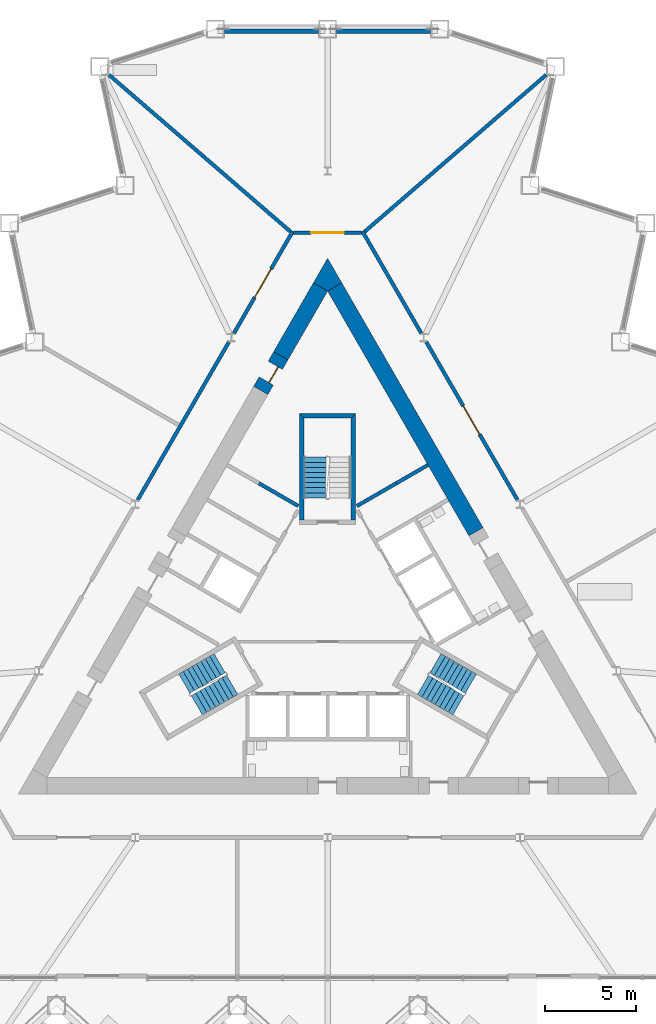
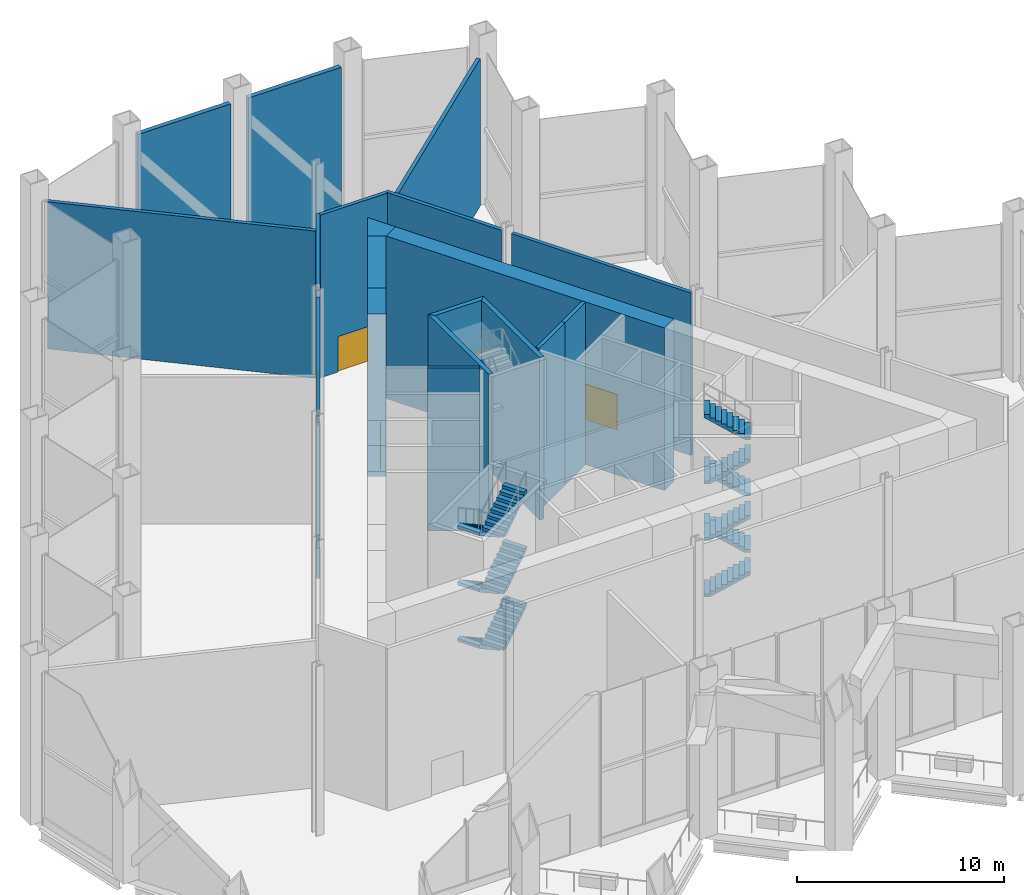
# One storey, part 10 of 17: 19 walls, 14 stair flights, 4 doors, 4 openings, 3 elements without a shape of their own.
"""IFC4 building model written with IfcOpenShell, lengths in metres."""

from ifc_helpers import new_model, si_unit, direction, frame, frame_2d, origin, place, context, subcontext, project, spatial, polyline, rectangle, outline, extrude, material, layer, layer_set, type_object, element, fill, aggregate, save


model = new_model("IFC4")

# Units and contexts
model_context = context("Model", 3, precision=1e-05, world=origin(), true_north=direction((0.0, 1.0)))
body_context = subcontext(model_context, "Body", "Model", "MODEL_VIEW")
ifc_project = project(units=[si_unit("LENGTHUNIT", "METRE"), si_unit("AREAUNIT", "SQUARE_METRE"), si_unit("VOLUMEUNIT", "CUBIC_METRE"), si_unit("PLANEANGLEUNIT", "RADIAN"), si_unit("MASSUNIT", "GRAM", prefix="KILO")], contexts=[model_context])

# Site, building, storey
site_placement = place(None, origin())
site = spatial("IfcSite", under=ifc_project, at=site_placement, CompositionType="ELEMENT")
building_placement = place(site_placement, origin())
building = spatial("IfcBuilding", under=site, at=building_placement, Name="Cormorant Prow Tower", CompositionType="ELEMENT")
storey_placement = place(building_placement, frame((0.0, 0.0, 84.60009765625)))
storey = spatial("IfcBuildingStorey", under=building, at=storey_placement, Name="L18", CompositionType="ELEMENT", Elevation=84.60009765625)

# Walls
ifc_material_1 = material(Name="Concrete 8000 psi", Category="concrete")
ifc_layer_1 = layer(ifc_material_1, 0.89990234375)
ifc_layer_set_1 = layer_set([ifc_layer_1], Name="Concrete 8000 psi")
wall_type_1 = type_object("IfcWallType", Name="Core shear wall 900", PredefinedType="SHEAR", material=ifc_layer_set_1)
wall_1_placement = place(storey_placement, frame((8.160400390625, 4.595947265625, 0.0), z_axis=(0.0, 0.0, 1.0), x_axis=(-0.500009830349, 0.866019728156, 0.0)))
element("IfcWall", 1, at=wall_1_placement, inside=storey, type_object=wall_type_1, Name="Core wall", PredefinedType="SHEAR", context=body_context, shape_type="SweptSolid", body=[
    extrude(rectangle(XDim=15.541259765625, YDim=0.89990234375, at=frame_2d((7.7705078125, 0.0))), origin(), (0.0, 0.0, 1.0), 9.599853515625),
])
wall_2_placement = place(storey_placement, frame((-0.3896484375, 18.054931640625, 0.0), z_axis=(0.0, 0.0, 1.0), x_axis=(-0.500014193307, -0.86601720912, 0.0)))
element("IfcWall", 2, at=wall_2_placement, inside=storey, type_object=wall_type_1, Name="Core wall", PredefinedType="SHEAR", context=body_context, shape_type="SweptSolid", body=[
    extrude(rectangle(XDim=4.370361328125, YDim=0.89990234375, at=frame_2d((2.18505859375, 0.0))), origin(), (0.0, 0.0, 1.0), 9.599853515625),
])
wall_3_placement = place(storey_placement, origin())
element("IfcWall", 3, at=wall_3_placement, inside=storey, type_object=wall_type_1, Name="Core wall corner", PredefinedType="SHEAR", context=body_context, shape_type="SweptSolid", body=[
    extrude(outline(polyline([(-0.779296875, 18.27978515625), (0.0, 19.6298828125), (0.779296875, 18.27978515625), (0.0, 17.829833984375), (-0.779296875, 18.27978515625)])), origin(), (0.0, 0.0, 1.0), 9.599853515625),
])

# Wall, opening, door
wall_4_placement = place(storey_placement, frame((-2.574951171875, 14.27001953125, 0.0), z_axis=(0.0, 0.0, 1.0), x_axis=(-0.499981787252, -0.866035918664, 0.0)))
wall_4 = element("IfcWall", 4, at=wall_4_placement, inside=storey, type_object=wall_type_1, Name="Core wall door panel", PredefinedType="SHEAR", context=body_context, shape_type="SweptSolid", body=[
    extrude(rectangle(XDim=2.2001953125, YDim=0.89990234375, at=frame_2d((1.10009765625, 0.0))), origin(), (0.0, 0.0, 1.0), 9.599853515625),
])
opening_1_placement = place(wall_4_placement, frame((0.60009765625, 0.0, 0.0)))
opening_1 = element("IfcOpeningElement", 5, at=opening_1_placement, cuts=wall_4, Name="Opening L18-C20", PredefinedType="OPENING", context=body_context, shape_type="SweptSolid", body=[
    extrude(rectangle(XDim=1.0, YDim=2.10009765625, at=frame_2d((0.5, 1.050048828125))), frame((0.0, 0.4599609375, 0.0), z_axis=(0.0, -1.0, 0.0), x_axis=(1.0, 0.0, 0.0)), (0.0, 0.0, 1.0), 0.919921875),
])
ifc_material_2 = material(Name="Painted steel", Category="steel")
door_type_1 = type_object("IfcDoorType", Name="Service door 1000x2100", OperationType="NOTDEFINED", PredefinedType="DOOR", material=ifc_material_2)
door_1_placement = place(opening_1_placement, origin())
door_1 = element("IfcDoor", 6, at=door_1_placement, inside=storey, type_object=door_type_1, Name="Core door, Telecom room", OperationType="SINGLE_SWING_LEFT", OverallHeight=2.10009765625, OverallWidth=1.0, PredefinedType="DOOR", context=body_context, shape_type="SweptSolid", body=[
    extrude(rectangle(XDim=1.0, YDim=2.10009765625, at=frame_2d((0.5, 1.050048828125))), frame((0.0, 0.205078125, 0.0), z_axis=(0.0, -1.0, 0.0), x_axis=(1.0, 0.0, 0.0)), (0.0, 0.0, 1.0), 0.050048828125),
])
fill(opening_1, door_1)

ifc_material_3 = material(Name="Gypsum board corridor wall")
ifc_layer_2 = layer(ifc_material_3, 0.199951171875)
ifc_layer_set_2 = layer_set([ifc_layer_2], Name="Gypsum board corridor wall")
wall_type_2 = type_object("IfcWallType", Name="Corridor wall 200", PredefinedType="PARTITIONING", material=ifc_layer_set_2)
wall_5_placement = place(storey_placement, frame((5.42919921875, 15.0263671875, 0.0), z_axis=(0.0, 0.0, 1.0), x_axis=(0.50001002959, -0.86601961312, 0.0)))
wall_5 = element("IfcWall", 7, at=wall_5_placement, inside=storey, type_object=wall_type_2, Name="Corridor wall", PredefinedType="PARTITIONING", context=body_context, shape_type="SweptSolid", body=[
    extrude(rectangle(XDim=10.018798828125, YDim=0.199951171875, at=frame_2d((5.00927734375, 0.0))), origin(), (0.0, 0.0, 1.0), 9.599853515625),
])
opening_2_placement = place(wall_5_placement, frame((4.059326171875, 0.0, 0.0)))
opening_2 = element("IfcOpeningElement", 8, at=opening_2_placement, cuts=wall_5, Name="Opening L18-F03", PredefinedType="OPENING", context=body_context, shape_type="SweptSolid", body=[
    extrude(rectangle(XDim=1.800048828125, YDim=2.10009765625, at=frame_2d((0.89990234375, 1.050048828125))), frame((0.0, 0.10986328125, 0.0), z_axis=(0.0, -1.0, 0.0), x_axis=(1.0, 0.0, 0.0)), (0.0, 0.0, 1.0), 0.219970703125),
])
ifc_material_4 = material(Name="Timber door leaf", Category="wood")
door_type_2 = type_object("IfcDoorType", Name="Double door 1800x2100", OperationType="DOUBLE_DOOR_SINGLE_SWING", PredefinedType="DOOR", material=ifc_material_4)
door_2_placement = place(opening_2_placement, origin())
door_2 = element("IfcDoor", 9, at=door_2_placement, inside=storey, type_object=door_type_2, Name="Executive suites door", OperationType="DOUBLE_DOOR_SINGLE_SWING", OverallHeight=2.10009765625, OverallWidth=1.800048828125, PredefinedType="DOOR", context=body_context, shape_type="SweptSolid", body=[
    extrude(rectangle(XDim=1.800048828125, YDim=2.10009765625, at=frame_2d((0.89990234375, 1.050048828125))), frame((0.0, 0.02490234375, 0.0), z_axis=(0.0, -1.0, 0.0), x_axis=(1.0, 0.0, 0.0)), (0.0, 0.0, 1.0), 0.050048828125),
])
fill(opening_2, door_2)

# Walls
wall_6_placement = place(storey_placement, frame((-10.438720703125, 6.349853515625, 0.0), z_axis=(0.0, 0.0, 1.0), x_axis=(0.50001002959, 0.86601961312, 0.0)))
element("IfcWall", 10, at=wall_6_placement, inside=storey, type_object=wall_type_2, Name="Corridor wall", PredefinedType="PARTITIONING", context=body_context, shape_type="SweptSolid", body=[
    extrude(rectangle(XDim=10.018798828125, YDim=0.199951171875, at=frame_2d((5.00927734375, 0.0))), origin(), (0.0, 0.0, 1.0), 9.599853515625),
])
wall_7_placement = place(storey_placement, frame((1.9130859375, 21.116455078125, 0.0), z_axis=(0.0, 0.0, 1.0), x_axis=(0.500001069878, -0.866024786089, 0.0)))
element("IfcWall", 11, at=wall_7_placement, inside=storey, type_object=wall_type_2, Name="Corridor wall", PredefinedType="PARTITIONING", context=body_context, shape_type="SweptSolid", body=[
    extrude(rectangle(XDim=6.47265625, YDim=0.199951171875, at=frame_2d((3.236328125, 0.0))), origin(), (0.0, 0.0, 1.0), 9.599853515625),
])

# Wall, opening, door
wall_8_placement = place(storey_placement, frame((-5.1494140625, 15.510986328125, 0.0), z_axis=(0.0, 0.0, 1.0), x_axis=(0.500001069878, 0.866024786089, 0.0)))
wall_8 = element("IfcWall", 12, at=wall_8_placement, inside=storey, type_object=wall_type_2, Name="Corridor wall", PredefinedType="PARTITIONING", context=body_context, shape_type="SweptSolid", body=[
    extrude(rectangle(XDim=6.47265625, YDim=0.199951171875, at=frame_2d((3.236328125, 0.0))), origin(), (0.0, 0.0, 1.0), 9.599853515625),
])
opening_3_placement = place(wall_8_placement, frame((2.285400390625, 0.0, 0.0)))
opening_3 = element("IfcOpeningElement", 13, at=opening_3_placement, cuts=wall_8, Name="Opening L18-F05", PredefinedType="OPENING", context=body_context, shape_type="SweptSolid", body=[
    extrude(rectangle(XDim=1.800048828125, YDim=2.10009765625, at=frame_2d((0.89990234375, 1.050048828125))), frame((0.0, 0.10986328125, 0.0), z_axis=(0.0, -1.0, 0.0), x_axis=(1.0, 0.0, 0.0)), (0.0, 0.0, 1.0), 0.219970703125),
])
door_3_placement = place(opening_3_placement, origin())
door_3 = element("IfcDoor", 14, at=door_3_placement, inside=storey, type_object=door_type_2, Name="Restaurant door", OperationType="DOUBLE_DOOR_SINGLE_SWING", OverallHeight=2.10009765625, OverallWidth=1.800048828125, PredefinedType="DOOR", context=body_context, shape_type="SweptSolid", body=[
    extrude(rectangle(XDim=1.800048828125, YDim=2.10009765625, at=frame_2d((0.89990234375, 1.050048828125))), frame((0.0, 0.02490234375, 0.0), z_axis=(0.0, -1.0, 0.0), x_axis=(1.0, 0.0, 0.0)), (0.0, 0.0, 1.0), 0.050048828125),
])
fill(opening_3, door_3)

wall_9_placement = place(storey_placement, frame((-1.863037109375, 21.02978515625, 0.0), z_axis=(0.0, 0.0, 1.0), x_axis=(1.0, 0.0, 0.0)))
wall_9 = element("IfcWall", 15, at=wall_9_placement, inside=storey, type_object=wall_type_2, Name="Corridor wall", PredefinedType="PARTITIONING", context=body_context, shape_type="SweptSolid", body=[
    extrude(rectangle(XDim=3.72607421875, YDim=0.199951171875, at=frame_2d((1.863037109375, 0.0))), origin(), (0.0, 0.0, 1.0), 9.599853515625),
])
opening_4_placement = place(wall_9_placement, frame((0.962890625, 0.0, 0.0)))
opening_4 = element("IfcOpeningElement", 16, at=opening_4_placement, cuts=wall_9, Name="Opening L18-F04", PredefinedType="OPENING", context=body_context, shape_type="SweptSolid", body=[
    extrude(rectangle(XDim=1.800048828125, YDim=2.10009765625, at=frame_2d((0.89990234375, 1.050048828125))), frame((0.0, 0.10986328125, 0.0), z_axis=(0.0, -1.0, 0.0), x_axis=(1.0, 0.0, 0.0)), (0.0, 0.0, 1.0), 0.219970703125),
])
door_4_placement = place(opening_4_placement, origin())
door_4 = element("IfcDoor", 17, at=door_4_placement, inside=storey, type_object=door_type_2, Name="Kitchen door", OperationType="DOUBLE_DOOR_SINGLE_SWING", OverallHeight=2.10009765625, OverallWidth=1.800048828125, PredefinedType="DOOR", context=body_context, shape_type="SweptSolid", body=[
    extrude(rectangle(XDim=1.800048828125, YDim=2.10009765625, at=frame_2d((0.89990234375, 1.050048828125))), frame((0.0, 0.02490234375, 0.0), z_axis=(0.0, -1.0, 0.0), x_axis=(1.0, 0.0, 0.0)), (0.0, 0.0, 1.0), 0.050048828125),
])
fill(opening_4, door_4)

# Walls
ifc_material_5 = material(Name="Gypsum board demising wall")
ifc_layer_3 = layer(ifc_material_5, 0.199951171875)
ifc_layer_set_3 = layer_set([ifc_layer_3], Name="Gypsum board demising wall")
wall_type_3 = type_object("IfcWallType", Name="Demising wall 200", PredefinedType="PARTITIONING", material=ifc_layer_set_3)
for number, where, z_axis, x_axis, name in (
    (18, (2.038818359375, 21.09521484375, 0.0), (0.0, 0.0, 1.0), (0.756656024203, 0.653813169826, 0.0), "Demising wall"),
    (19, (-12.01513671875, 29.715576171875, 0.0), (0.0, 0.0, 1.0), (0.756656024203, -0.653813169826, 0.0), "Demising wall"),
):
    element("IfcWall", number, at=place(storey_placement, frame(where, z_axis=z_axis, x_axis=x_axis)), inside=storey, type_object=wall_type_3, Name=name, PredefinedType="PARTITIONING", context=body_context, shape_type="SweptSolid", body=[
        extrude(rectangle(XDim=13.184814453125, YDim=0.199951171875, at=frame_2d((6.59228515625, 0.0))), origin(), (0.0, 0.0, 1.0), 8.685302734375),
    ])
ifc_material_6 = material(Name="Concrete 8000 psi", Category="concrete")
ifc_layer_4 = layer(ifc_material_6, 0.199951171875)
ifc_layer_set_4 = layer_set([ifc_layer_4], Name="Concrete 8000 psi")
wall_type_4 = type_object("IfcWallType", Name="Lift shaft wall 200", PredefinedType="SHEAR", material=ifc_layer_set_4)
wall_10_placement = place(storey_placement, origin())
element("IfcWall", 20, at=wall_10_placement, inside=storey, type_object=wall_type_4, Name="Lift shaft walls, ENE block", PredefinedType="SHEAR", context=body_context, shape_type="SweptSolid", body=[
    extrude(outline(polyline([(1.560546875, 6.09716796875), (3.730712890625, 7.35009765625), (3.830810546875, 7.177001953125), (1.660400390625, 5.923828125), (1.560546875, 6.09716796875)])), origin(), (0.0, 0.0, 1.0), 9.599853515625),
])
wall_11_placement = place(storey_placement, frame((3.78076171875, 7.263427734375, 0.0), z_axis=(0.0, 0.0, 1.0), x_axis=(0.865983199114, 0.50007309351, 0.0)))
element("IfcWall", 21, at=wall_11_placement, inside=storey, type_object=wall_type_4, Name="Store side wall", PredefinedType="SHEAR", context=body_context, shape_type="SweptSolid", body=[
    extrude(rectangle(XDim=2.009033203125, YDim=0.199951171875, at=frame_2d((1.00439453125, 0.0))), origin(), (0.0, 0.0, 1.0), 9.599853515625),
])
wall_12_placement = place(storey_placement, origin())
element("IfcWall", 22, at=wall_12_placement, inside=storey, type_object=wall_type_4, Name="Lift shaft walls, WNW block", PredefinedType="SHEAR", context=body_context, shape_type="SweptSolid", body=[
    extrude(outline(polyline([(-3.730712890625, 7.35009765625), (-1.560546875, 6.09716796875), (-1.660400390625, 5.923828125), (-3.830810546875, 7.177001953125), (-3.730712890625, 7.35009765625)])), origin(), (0.0, 0.0, 1.0), 9.599853515625),
])
ifc_material_7 = material(Name="Concrete 8000 psi", Category="concrete")
ifc_layer_5 = layer(ifc_material_7, 0.25)
ifc_layer_set_5 = layer_set([ifc_layer_5], Name="Concrete 8000 psi")
wall_type_5 = type_object("IfcWallType", Name="Stair wall 250", PredefinedType="SHEAR", material=ifc_layer_set_5)
wall_13_placement = place(storey_placement, origin())
element("IfcWall", 23, at=wall_13_placement, inside=storey, type_object=wall_type_5, Name="Stair ST3 enclosure wall (flank)", PredefinedType="SHEAR", context=body_context, shape_type="SweptSolid", body=[
    extrude(outline(polyline([(1.5439453125, 5.23681640625), (1.5439453125, 11.0869140625), (1.2939453125, 10.8369140625), (1.2939453125, 5.23681640625), (1.5439453125, 5.23681640625)])), origin(), (0.0, 0.0, 1.0), 9.599853515625),
])
wall_14_placement = place(storey_placement, origin())
element("IfcWall", 24, at=wall_14_placement, inside=storey, type_object=wall_type_5, Name="Stair ST3 enclosure wall (end)", PredefinedType="SHEAR", context=body_context, shape_type="SweptSolid", body=[
    extrude(outline(polyline([(1.5439453125, 11.0869140625), (-1.5439453125, 11.0869140625), (-1.2939453125, 10.8369140625), (1.2939453125, 10.8369140625), (1.5439453125, 11.0869140625)])), origin(), (0.0, 0.0, 1.0), 9.599853515625),
])
wall_15_placement = place(storey_placement, origin())
element("IfcWall", 25, at=wall_15_placement, inside=storey, type_object=wall_type_5, Name="Stair ST3 enclosure wall (flank)", PredefinedType="SHEAR", context=body_context, shape_type="SweptSolid", body=[
    extrude(outline(polyline([(-1.2939453125, 10.8369140625), (-1.5439453125, 11.0869140625), (-1.5439453125, 5.23681640625), (-1.2939453125, 5.23681640625), (-1.2939453125, 10.8369140625)])), origin(), (0.0, 0.0, 1.0), 9.599853515625),
])
ifc_material_8 = material(Name="Terracotta", Category="masonry")
ifc_layer_6 = layer(ifc_material_8, 0.25)
ifc_layer_set_6 = layer_set([ifc_layer_6], Name="Terracotta")
wall_type_6 = type_object("IfcWallType", Name="Terracotta bay wall 250", PredefinedType="SOLIDWALL", material=ifc_layer_set_6)
for number, where, z_axis, x_axis, name in (
    (26, (5.669677734375, 32.108642578125, 0.0), (0.0, 0.0, 1.0), (-1.0, 0.0, 0.0), "Terracotta bay wall N00"),
    (27, (-0.5, 32.108642578125, 0.0), (0.0, 0.0, 1.0), (-1.0, 0.0, 0.0), "Terracotta bay wall N01"),
):
    element("IfcWall", number, at=place(storey_placement, frame(where, z_axis=z_axis, x_axis=x_axis)), inside=storey, type_object=wall_type_6, Name=name, PredefinedType="SOLIDWALL", context=body_context, shape_type="SweptSolid", body=[
        extrude(rectangle(XDim=5.169677734375, YDim=0.25, at=frame_2d((2.5849609375, 0.0))), origin(), (0.0, 0.0, 1.0), 8.98876953125),
    ])

# Stair, stair flights
ifc_material_9 = material(Name="Exit stair 54 risers")
stair_type = type_object("IfcStairType", Name="Exit stair 54 risers", PredefinedType="HALF_TURN_STAIR", material=ifc_material_9)
stair_1_placement = place(storey_placement, origin())
stair_1 = element("IfcStair", 28, at=stair_1_placement, inside=storey, type_object=stair_type, Name="L18 Exit stair ST1", PredefinedType="HALF_TURN_STAIR")
ifc_material_10 = material(Name="Concrete 5000 psi", Category="concrete")
stair_flight_type = type_object("IfcStairFlightType", Name="Stair flight 1219", PredefinedType="STRAIGHT", material=ifc_material_10)
stair_flight_1_placement = place(storey_placement, frame((-5.93310546875, -2.635009765625, 0.0), z_axis=(0.0, 0.0, 1.0), x_axis=(-0.866025403784, -0.5, 0.0)))
stair_flight_1 = element("IfcStairFlight", 29, at=stair_flight_1_placement, type_object=stair_flight_type, Name="ST1 flight 1", NumberOfRisers=9, NumberOfTreads=8, PredefinedType="STRAIGHT", RiserHeight=0.185185185, TreadLength=0.28, context=body_context, shape_type="SweptSolid", body=[
    extrude(outline(polyline([(0.0, 0.0), (0.0, 0.185302734375), (0.280029296875, 0.185302734375), (0.280029296875, 0.370361328125), (0.56005859375, 0.370361328125), (0.56005859375, 0.5556640625), (0.840087890625, 0.5556640625), (0.840087890625, 0.74072265625), (1.1201171875, 0.74072265625), (1.1201171875, 0.926025390625), (1.39990234375, 0.926025390625), (1.39990234375, 1.111083984375), (1.679931640625, 1.111083984375), (1.679931640625, 1.29638671875), (1.9599609375, 1.29638671875), (1.9599609375, 1.4814453125), (2.239990234375, 1.4814453125), (2.239990234375, 1.666748046875), (2.239990234375, 1.3017578125), (0.271728515625, 0.0), (0.0, 0.0)])), frame((0.0, 0.609375, 0.0), z_axis=(0.0, -1.0, 0.0), x_axis=(1.0, 0.0, 0.0)), (0.0, 0.0, 1.0), 1.218994140625),
])
stair_flight_2_placement = place(storey_placement, frame((-7.1884765625, -4.940673828125, 1.66650390625), z_axis=(0.0, 0.0, 1.0), x_axis=(0.866025403784, 0.5, 0.0)))
stair_flight_2 = element("IfcStairFlight", 30, at=stair_flight_2_placement, type_object=stair_flight_type, Name="ST1 flight 2", NumberOfRisers=9, NumberOfTreads=8, PredefinedType="STRAIGHT", RiserHeight=0.185185185, TreadLength=0.28, context=body_context, shape_type="SweptSolid", body=[
    extrude(outline(polyline([(0.0, 0.0), (0.0, 0.185302734375), (0.280029296875, 0.185302734375), (0.280029296875, 0.370361328125), (0.56005859375, 0.370361328125), (0.56005859375, 0.5556640625), (0.840087890625, 0.5556640625), (0.840087890625, 0.74072265625), (1.1201171875, 0.74072265625), (1.1201171875, 0.926025390625), (1.39990234375, 0.926025390625), (1.39990234375, 1.111083984375), (1.679931640625, 1.111083984375), (1.679931640625, 1.29638671875), (1.9599609375, 1.29638671875), (1.9599609375, 1.4814453125), (2.239990234375, 1.4814453125), (2.239990234375, 1.666748046875), (2.239990234375, 1.3017578125), (0.271728515625, 0.0), (0.0, 0.0)])), frame((0.0, 0.609375, 0.0), z_axis=(0.0, -1.0, 0.0), x_axis=(1.0, 0.0, 0.0)), (0.0, 0.0, 1.0), 1.218994140625),
])
stair_flight_3_placement = place(storey_placement, frame((-5.93310546875, -2.635009765625, 3.333251953125), z_axis=(0.0, 0.0, 1.0), x_axis=(-0.866025403784, -0.5, 0.0)))
stair_flight_3 = element("IfcStairFlight", 31, at=stair_flight_3_placement, type_object=stair_flight_type, Name="ST1 flight 3", NumberOfRisers=9, NumberOfTreads=8, PredefinedType="STRAIGHT", RiserHeight=0.185185185, TreadLength=0.28, context=body_context, shape_type="SweptSolid", body=[
    extrude(outline(polyline([(0.0, 0.0), (0.0, 0.185302734375), (0.280029296875, 0.185302734375), (0.280029296875, 0.370361328125), (0.56005859375, 0.370361328125), (0.56005859375, 0.5556640625), (0.840087890625, 0.5556640625), (0.840087890625, 0.74072265625), (1.1201171875, 0.74072265625), (1.1201171875, 0.926025390625), (1.39990234375, 0.926025390625), (1.39990234375, 1.111083984375), (1.679931640625, 1.111083984375), (1.679931640625, 1.29638671875), (1.9599609375, 1.29638671875), (1.9599609375, 1.4814453125), (2.239990234375, 1.4814453125), (2.239990234375, 1.666748046875), (2.239990234375, 1.3017578125), (0.271728515625, 0.0), (0.0, 0.0)])), frame((0.0, 0.609375, 0.0), z_axis=(0.0, -1.0, 0.0), x_axis=(1.0, 0.0, 0.0)), (0.0, 0.0, 1.0), 1.218994140625),
])
stair_flight_4_placement = place(storey_placement, frame((-7.1884765625, -4.940673828125, 5.0), z_axis=(0.0, 0.0, 1.0), x_axis=(0.866025403784, 0.5, 0.0)))
stair_flight_4 = element("IfcStairFlight", 32, at=stair_flight_4_placement, type_object=stair_flight_type, Name="ST1 flight 4", NumberOfRisers=9, NumberOfTreads=8, PredefinedType="STRAIGHT", RiserHeight=0.185185185, TreadLength=0.28, context=body_context, shape_type="SweptSolid", body=[
    extrude(outline(polyline([(0.0, 0.0), (0.0, 0.185302734375), (0.280029296875, 0.185302734375), (0.280029296875, 0.370361328125), (0.56005859375, 0.370361328125), (0.56005859375, 0.5556640625), (0.840087890625, 0.5556640625), (0.840087890625, 0.74072265625), (1.1201171875, 0.74072265625), (1.1201171875, 0.926025390625), (1.39990234375, 0.926025390625), (1.39990234375, 1.111083984375), (1.679931640625, 1.111083984375), (1.679931640625, 1.29638671875), (1.9599609375, 1.29638671875), (1.9599609375, 1.4814453125), (2.239990234375, 1.4814453125), (2.239990234375, 1.666748046875), (2.239990234375, 1.3017578125), (0.271728515625, 0.0), (0.0, 0.0)])), frame((0.0, 0.609375, 0.0), z_axis=(0.0, -1.0, 0.0), x_axis=(1.0, 0.0, 0.0)), (0.0, 0.0, 1.0), 1.218994140625),
])
stair_flight_5_placement = place(storey_placement, frame((-5.93310546875, -2.635009765625, 6.66650390625), z_axis=(0.0, 0.0, 1.0), x_axis=(-0.866025403784, -0.5, 0.0)))
stair_flight_5 = element("IfcStairFlight", 33, at=stair_flight_5_placement, type_object=stair_flight_type, Name="ST1 flight 5", NumberOfRisers=9, NumberOfTreads=8, PredefinedType="STRAIGHT", RiserHeight=0.185185185, TreadLength=0.28, context=body_context, shape_type="SweptSolid", body=[
    extrude(outline(polyline([(0.0, 0.0), (0.0, 0.185302734375), (0.280029296875, 0.185302734375), (0.280029296875, 0.370361328125), (0.56005859375, 0.370361328125), (0.56005859375, 0.5556640625), (0.840087890625, 0.5556640625), (0.840087890625, 0.74072265625), (1.1201171875, 0.74072265625), (1.1201171875, 0.926025390625), (1.39990234375, 0.926025390625), (1.39990234375, 1.111083984375), (1.679931640625, 1.111083984375), (1.679931640625, 1.29638671875), (1.9599609375, 1.29638671875), (1.9599609375, 1.4814453125), (2.239990234375, 1.4814453125), (2.239990234375, 1.666748046875), (2.239990234375, 1.3017578125), (0.271728515625, 0.0), (0.0, 0.0)])), frame((0.0, 0.609375, 0.0), z_axis=(0.0, -1.0, 0.0), x_axis=(1.0, 0.0, 0.0)), (0.0, 0.0, 1.0), 1.218994140625),
])
stair_flight_6_placement = place(storey_placement, frame((-7.1884765625, -4.940673828125, 8.333251953125), z_axis=(0.0, 0.0, 1.0), x_axis=(0.866025403784, 0.5, 0.0)))
stair_flight_6 = element("IfcStairFlight", 34, at=stair_flight_6_placement, type_object=stair_flight_type, Name="ST1 flight 6", NumberOfRisers=9, NumberOfTreads=8, PredefinedType="STRAIGHT", RiserHeight=0.185185185, TreadLength=0.28, context=body_context, shape_type="SweptSolid", body=[
    extrude(outline(polyline([(0.0, 0.0), (0.0, 0.185302734375), (0.280029296875, 0.185302734375), (0.280029296875, 0.370361328125), (0.56005859375, 0.370361328125), (0.56005859375, 0.5556640625), (0.840087890625, 0.5556640625), (0.840087890625, 0.74072265625), (1.1201171875, 0.74072265625), (1.1201171875, 0.926025390625), (1.39990234375, 0.926025390625), (1.39990234375, 1.111083984375), (1.679931640625, 1.111083984375), (1.679931640625, 1.29638671875), (1.9599609375, 1.29638671875), (1.9599609375, 1.4814453125), (2.239990234375, 1.4814453125), (2.239990234375, 1.666748046875), (2.239990234375, 1.3017578125), (0.271728515625, 0.0), (0.0, 0.0)])), frame((0.0, 0.609375, 0.0), z_axis=(0.0, -1.0, 0.0), x_axis=(1.0, 0.0, 0.0)), (0.0, 0.0, 1.0), 1.218994140625),
])
aggregate(stair_1, [stair_flight_1, stair_flight_2, stair_flight_3, stair_flight_4, stair_flight_5, stair_flight_6])

stair_2_placement = place(storey_placement, origin())
stair_2 = element("IfcStair", 35, at=stair_2_placement, inside=storey, type_object=stair_type, Name="L18 Exit stair ST2", PredefinedType="HALF_TURN_STAIR")
stair_flight_7_placement = place(storey_placement, frame((5.24853515625, -3.82080078125, 0.0), z_axis=(0.0, 0.0, 1.0), x_axis=(0.866025403784, -0.5, 0.0)))
stair_flight_7 = element("IfcStairFlight", 36, at=stair_flight_7_placement, type_object=stair_flight_type, Name="ST2 flight 1", NumberOfRisers=9, NumberOfTreads=8, PredefinedType="STRAIGHT", RiserHeight=0.185185185, TreadLength=0.28, context=body_context, shape_type="SweptSolid", body=[
    extrude(outline(polyline([(0.0, 0.0), (0.0, 0.185302734375), (0.280029296875, 0.185302734375), (0.280029296875, 0.370361328125), (0.56005859375, 0.370361328125), (0.56005859375, 0.5556640625), (0.840087890625, 0.5556640625), (0.840087890625, 0.74072265625), (1.1201171875, 0.74072265625), (1.1201171875, 0.926025390625), (1.39990234375, 0.926025390625), (1.39990234375, 1.111083984375), (1.679931640625, 1.111083984375), (1.679931640625, 1.29638671875), (1.9599609375, 1.29638671875), (1.9599609375, 1.4814453125), (2.239990234375, 1.4814453125), (2.239990234375, 1.666748046875), (2.239990234375, 1.3017578125), (0.271728515625, 0.0), (0.0, 0.0)])), frame((0.0, 0.609375, 0.0), z_axis=(0.0, -1.0, 0.0), x_axis=(1.0, 0.0, 0.0)), (0.0, 0.0, 1.0), 1.218994140625),
])
stair_flight_8_placement = place(storey_placement, frame((7.873046875, -3.755126953125, 1.66650390625), z_axis=(0.0, 0.0, 1.0), x_axis=(-0.866025403784, 0.5, 0.0)))
stair_flight_8 = element("IfcStairFlight", 37, at=stair_flight_8_placement, type_object=stair_flight_type, Name="ST2 flight 2", NumberOfRisers=9, NumberOfTreads=8, PredefinedType="STRAIGHT", RiserHeight=0.185185185, TreadLength=0.28, context=body_context, shape_type="SweptSolid", body=[
    extrude(outline(polyline([(0.0, 0.0), (0.0, 0.185302734375), (0.280029296875, 0.185302734375), (0.280029296875, 0.370361328125), (0.56005859375, 0.370361328125), (0.56005859375, 0.5556640625), (0.840087890625, 0.5556640625), (0.840087890625, 0.74072265625), (1.1201171875, 0.74072265625), (1.1201171875, 0.926025390625), (1.39990234375, 0.926025390625), (1.39990234375, 1.111083984375), (1.679931640625, 1.111083984375), (1.679931640625, 1.29638671875), (1.9599609375, 1.29638671875), (1.9599609375, 1.4814453125), (2.239990234375, 1.4814453125), (2.239990234375, 1.666748046875), (2.239990234375, 1.3017578125), (0.271728515625, 0.0), (0.0, 0.0)])), frame((0.0, 0.609375, 0.0), z_axis=(0.0, -1.0, 0.0), x_axis=(1.0, 0.0, 0.0)), (0.0, 0.0, 1.0), 1.218994140625),
])
stair_flight_9_placement = place(storey_placement, frame((5.24853515625, -3.82080078125, 3.333251953125), z_axis=(0.0, 0.0, 1.0), x_axis=(0.866025403784, -0.5, 0.0)))
stair_flight_9 = element("IfcStairFlight", 38, at=stair_flight_9_placement, type_object=stair_flight_type, Name="ST2 flight 3", NumberOfRisers=9, NumberOfTreads=8, PredefinedType="STRAIGHT", RiserHeight=0.185185185, TreadLength=0.28, context=body_context, shape_type="SweptSolid", body=[
    extrude(outline(polyline([(0.0, 0.0), (0.0, 0.185302734375), (0.280029296875, 0.185302734375), (0.280029296875, 0.370361328125), (0.56005859375, 0.370361328125), (0.56005859375, 0.5556640625), (0.840087890625, 0.5556640625), (0.840087890625, 0.74072265625), (1.1201171875, 0.74072265625), (1.1201171875, 0.926025390625), (1.39990234375, 0.926025390625), (1.39990234375, 1.111083984375), (1.679931640625, 1.111083984375), (1.679931640625, 1.29638671875), (1.9599609375, 1.29638671875), (1.9599609375, 1.4814453125), (2.239990234375, 1.4814453125), (2.239990234375, 1.666748046875), (2.239990234375, 1.3017578125), (0.271728515625, 0.0), (0.0, 0.0)])), frame((0.0, 0.609375, 0.0), z_axis=(0.0, -1.0, 0.0), x_axis=(1.0, 0.0, 0.0)), (0.0, 0.0, 1.0), 1.218994140625),
])
stair_flight_10_placement = place(storey_placement, frame((7.873046875, -3.755126953125, 5.0), z_axis=(0.0, 0.0, 1.0), x_axis=(-0.866025403784, 0.5, 0.0)))
stair_flight_10 = element("IfcStairFlight", 39, at=stair_flight_10_placement, type_object=stair_flight_type, Name="ST2 flight 4", NumberOfRisers=9, NumberOfTreads=8, PredefinedType="STRAIGHT", RiserHeight=0.185185185, TreadLength=0.28, context=body_context, shape_type="SweptSolid", body=[
    extrude(outline(polyline([(0.0, 0.0), (0.0, 0.185302734375), (0.280029296875, 0.185302734375), (0.280029296875, 0.370361328125), (0.56005859375, 0.370361328125), (0.56005859375, 0.5556640625), (0.840087890625, 0.5556640625), (0.840087890625, 0.74072265625), (1.1201171875, 0.74072265625), (1.1201171875, 0.926025390625), (1.39990234375, 0.926025390625), (1.39990234375, 1.111083984375), (1.679931640625, 1.111083984375), (1.679931640625, 1.29638671875), (1.9599609375, 1.29638671875), (1.9599609375, 1.4814453125), (2.239990234375, 1.4814453125), (2.239990234375, 1.666748046875), (2.239990234375, 1.3017578125), (0.271728515625, 0.0), (0.0, 0.0)])), frame((0.0, 0.609375, 0.0), z_axis=(0.0, -1.0, 0.0), x_axis=(1.0, 0.0, 0.0)), (0.0, 0.0, 1.0), 1.218994140625),
])
stair_flight_11_placement = place(storey_placement, frame((5.24853515625, -3.82080078125, 6.66650390625), z_axis=(0.0, 0.0, 1.0), x_axis=(0.866025403784, -0.5, 0.0)))
stair_flight_11 = element("IfcStairFlight", 40, at=stair_flight_11_placement, type_object=stair_flight_type, Name="ST2 flight 5", NumberOfRisers=9, NumberOfTreads=8, PredefinedType="STRAIGHT", RiserHeight=0.185185185, TreadLength=0.28, context=body_context, shape_type="SweptSolid", body=[
    extrude(outline(polyline([(0.0, 0.0), (0.0, 0.185302734375), (0.280029296875, 0.185302734375), (0.280029296875, 0.370361328125), (0.56005859375, 0.370361328125), (0.56005859375, 0.5556640625), (0.840087890625, 0.5556640625), (0.840087890625, 0.74072265625), (1.1201171875, 0.74072265625), (1.1201171875, 0.926025390625), (1.39990234375, 0.926025390625), (1.39990234375, 1.111083984375), (1.679931640625, 1.111083984375), (1.679931640625, 1.29638671875), (1.9599609375, 1.29638671875), (1.9599609375, 1.4814453125), (2.239990234375, 1.4814453125), (2.239990234375, 1.666748046875), (2.239990234375, 1.3017578125), (0.271728515625, 0.0), (0.0, 0.0)])), frame((0.0, 0.609375, 0.0), z_axis=(0.0, -1.0, 0.0), x_axis=(1.0, 0.0, 0.0)), (0.0, 0.0, 1.0), 1.218994140625),
])
stair_flight_12_placement = place(storey_placement, frame((7.873046875, -3.755126953125, 8.333251953125), z_axis=(0.0, 0.0, 1.0), x_axis=(-0.866025403784, 0.5, 0.0)))
stair_flight_12 = element("IfcStairFlight", 41, at=stair_flight_12_placement, type_object=stair_flight_type, Name="ST2 flight 6", NumberOfRisers=9, NumberOfTreads=8, PredefinedType="STRAIGHT", RiserHeight=0.185185185, TreadLength=0.28, context=body_context, shape_type="SweptSolid", body=[
    extrude(outline(polyline([(0.0, 0.0), (0.0, 0.185302734375), (0.280029296875, 0.185302734375), (0.280029296875, 0.370361328125), (0.56005859375, 0.370361328125), (0.56005859375, 0.5556640625), (0.840087890625, 0.5556640625), (0.840087890625, 0.74072265625), (1.1201171875, 0.74072265625), (1.1201171875, 0.926025390625), (1.39990234375, 0.926025390625), (1.39990234375, 1.111083984375), (1.679931640625, 1.111083984375), (1.679931640625, 1.29638671875), (1.9599609375, 1.29638671875), (1.9599609375, 1.4814453125), (2.239990234375, 1.4814453125), (2.239990234375, 1.666748046875), (2.239990234375, 1.3017578125), (0.271728515625, 0.0), (0.0, 0.0)])), frame((0.0, 0.609375, 0.0), z_axis=(0.0, -1.0, 0.0), x_axis=(1.0, 0.0, 0.0)), (0.0, 0.0, 1.0), 1.218994140625),
])
aggregate(stair_2, [stair_flight_7, stair_flight_8, stair_flight_9, stair_flight_10, stair_flight_11, stair_flight_12])

stair_3_placement = place(storey_placement, origin())
stair_3 = element("IfcStair", 42, at=stair_3_placement, inside=storey, type_object=stair_type, Name="L18 Exit stair ST3", PredefinedType="HALF_TURN_STAIR")
stair_flight_13_placement = place(storey_placement, frame((-0.6845703125, 8.69580078125, 1.66650390625), z_axis=(0.0, 0.0, 1.0), x_axis=(0.0, -1.0, 0.0)))
stair_flight_13 = element("IfcStairFlight", 43, at=stair_flight_13_placement, type_object=stair_flight_type, Name="ST3 flight 2", NumberOfRisers=9, NumberOfTreads=8, PredefinedType="STRAIGHT", RiserHeight=0.185185185, TreadLength=0.28, context=body_context, shape_type="SweptSolid", body=[
    extrude(outline(polyline([(0.0, 0.0), (0.0, 0.185302734375), (0.280029296875, 0.185302734375), (0.280029296875, 0.370361328125), (0.56005859375, 0.370361328125), (0.56005859375, 0.5556640625), (0.840087890625, 0.5556640625), (0.840087890625, 0.74072265625), (1.1201171875, 0.74072265625), (1.1201171875, 0.926025390625), (1.39990234375, 0.926025390625), (1.39990234375, 1.111083984375), (1.679931640625, 1.111083984375), (1.679931640625, 1.29638671875), (1.9599609375, 1.29638671875), (1.9599609375, 1.4814453125), (2.239990234375, 1.4814453125), (2.239990234375, 1.666748046875), (2.239990234375, 1.3017578125), (0.271728515625, 0.0), (0.0, 0.0)])), frame((0.0, 0.609375, 0.0), z_axis=(0.0, -1.0, 0.0), x_axis=(1.0, 0.0, 0.0)), (0.0, 0.0, 1.0), 1.218994140625),
])
stair_flight_14_placement = place(storey_placement, frame((-0.6845703125, 8.69580078125, 5.0), z_axis=(0.0, 0.0, 1.0), x_axis=(0.0, -1.0, 0.0)))
stair_flight_14 = element("IfcStairFlight", 44, at=stair_flight_14_placement, type_object=stair_flight_type, Name="ST3 flight 4", NumberOfRisers=9, NumberOfTreads=8, PredefinedType="STRAIGHT", RiserHeight=0.185185185, TreadLength=0.28, context=body_context, shape_type="SweptSolid", body=[
    extrude(outline(polyline([(0.0, 0.0), (0.0, 0.185302734375), (0.280029296875, 0.185302734375), (0.280029296875, 0.370361328125), (0.56005859375, 0.370361328125), (0.56005859375, 0.5556640625), (0.840087890625, 0.5556640625), (0.840087890625, 0.74072265625), (1.1201171875, 0.74072265625), (1.1201171875, 0.926025390625), (1.39990234375, 0.926025390625), (1.39990234375, 1.111083984375), (1.679931640625, 1.111083984375), (1.679931640625, 1.29638671875), (1.9599609375, 1.29638671875), (1.9599609375, 1.4814453125), (2.239990234375, 1.4814453125), (2.239990234375, 1.666748046875), (2.239990234375, 1.3017578125), (0.271728515625, 0.0), (0.0, 0.0)])), frame((0.0, 0.609375, 0.0), z_axis=(0.0, -1.0, 0.0), x_axis=(1.0, 0.0, 0.0)), (0.0, 0.0, 1.0), 1.218994140625),
])
aggregate(stair_3, [stair_flight_13, stair_flight_14])

save(model, "model.ifc")
